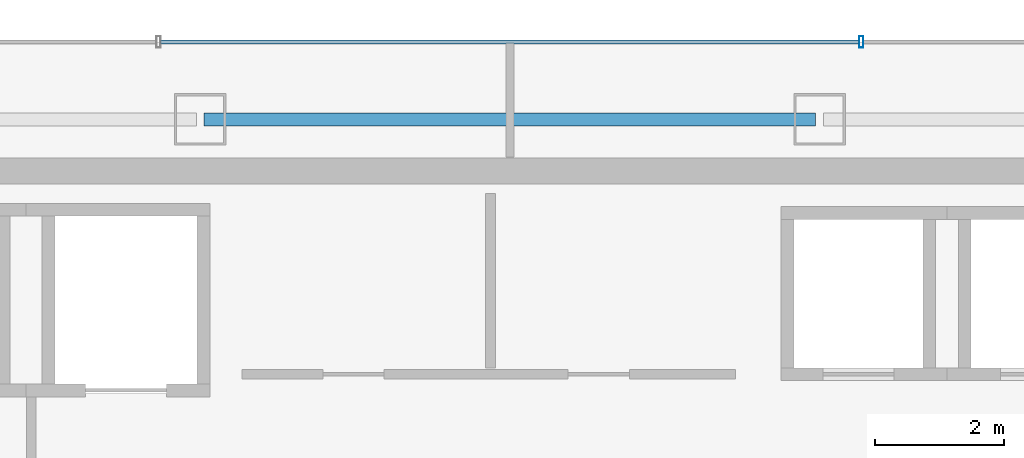
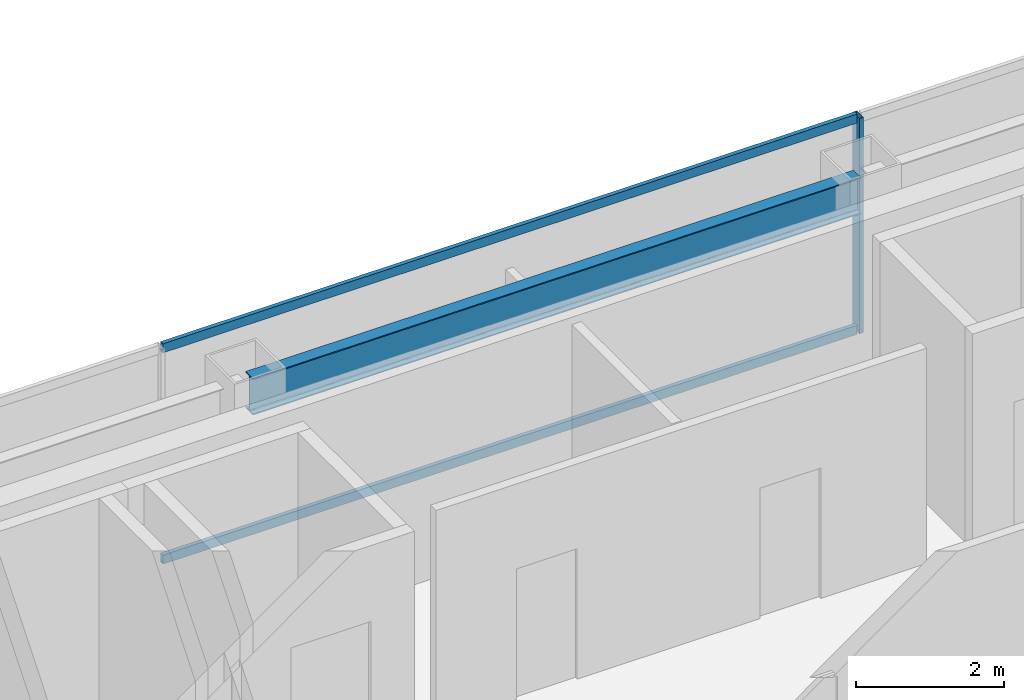
# One storey, part 21 of 32: 3 members, 1 beam, 1 element without a shape of its own.
"""IFC4 building model written with IfcOpenShell, lengths in metres."""

from ifc_helpers import new_model, si_unit, direction, frame, origin, origin_2d, place, context, subcontext, project, spatial, hollow_rectangle, i_section, extrude, material, material_profile, profile_set, type_object, element, aggregate, save


model = new_model("IFC4")

# Units and contexts
model_context = context("Model", 3, precision=1e-05, world=origin(), true_north=direction((0.0, 1.0)))
body_context = subcontext(model_context, "Body", "Model", "MODEL_VIEW")
ifc_project = project(units=[si_unit("LENGTHUNIT", "METRE"), si_unit("AREAUNIT", "SQUARE_METRE"), si_unit("VOLUMEUNIT", "CUBIC_METRE"), si_unit("PLANEANGLEUNIT", "RADIAN"), si_unit("MASSUNIT", "GRAM", prefix="KILO")], contexts=[model_context])

# Site, building, storey
site_placement = place(None, origin())
site = spatial("IfcSite", under=ifc_project, at=site_placement, CompositionType="ELEMENT")
building_placement = place(site_placement, origin())
building = spatial("IfcBuilding", under=site, at=building_placement, Name="Saevonmaru Cultural Tower", CompositionType="ELEMENT")
storey_placement = place(building_placement, frame((0.0, 0.0, 242.0)))
storey = spatial("IfcBuildingStorey", under=building, at=storey_placement, Name="L56", CompositionType="ELEMENT", Elevation=242.0)

# Beam
ifc_material_1 = material(Name="Steel SM355", Category="steel")
ifc_material_profile_1 = material_profile(ifc_material_1, i_section(OverallWidth=0.199951171875, OverallDepth=0.60009765625, WebThickness=0.010986328125, FlangeThickness=0.01708984375, FilletRadius=0.02197265625, at=origin_2d()), Name="H-600x200x11x17")
ifc_profile_set_1 = profile_set([ifc_material_profile_1], Name="Steel SM355")
beam_type = type_object("IfcBeamType", Name="BM-SP-H600", PredefinedType="SPANDREL", material=ifc_profile_set_1)
beam_placement = place(storey_placement, frame((25.260009765625, 54.800048828125, 3.25), z_axis=(1.0, 0.0, 0.0), x_axis=(0.0, 1.0, 0.0)))
element("IfcBeam", 1, at=beam_placement, inside=storey, type_object=beam_type, Name="L56 North Spine Girder 3", PredefinedType="SPANDREL", context=body_context, shape_type="SweptSolid", body=[
    extrude(i_section(OverallWidth=0.199951171875, OverallDepth=0.60009765625, WebThickness=0.010986328125, FlangeThickness=0.01708984375, FilletRadius=0.02197265625, at=origin_2d()), origin(), (0.0, 0.0, 1.0), 9.47998046875),
])

# Curtain wall, members
ifc_material_2 = material(Name="Satin Bronze Anodised Aluminium", Category="aluminium")
curtain_wall_type = type_object("IfcCurtainWallType", Name="CW-TYP-B", PredefinedType="NOTDEFINED", material=ifc_material_2)
curtain_wall_placement = place(storey_placement, origin())
curtain_wall = element("IfcCurtainWall", 2, at=curtain_wall_placement, inside=storey, type_object=curtain_wall_type, Name="L56 North Spine Unitised Curtain Wall E10B", PredefinedType="NOTDEFINED")
ifc_material_profile_2 = material_profile(ifc_material_2, hollow_rectangle(XDim=0.06494140625, YDim=0.179931640625, WallThickness=0.00390625, at=origin_2d()), Name="ALU-MULL-180x65x4")
ifc_profile_set_2 = profile_set([ifc_material_profile_2], Name="Satin Bronze Anodised Aluminium")
member_type_1 = type_object("IfcMemberType", Name="ML-CW-180x65", PredefinedType="MULLION", material=ifc_profile_set_2)
member_1_placement = place(storey_placement, frame((35.44677734375, 56.0, 0.0), z_axis=(0.0, 0.0, 1.0), x_axis=(-1.0, 0.0, 0.0)))
member_1 = element("IfcMember", 3, at=member_1_placement, type_object=member_type_1, Name="CW-TW-L56-E10B mullion 2", PredefinedType="MULLION", context=body_context, shape_type="SweptSolid", body=[
    extrude(hollow_rectangle(XDim=0.06494140625, YDim=0.179931640625, WallThickness=0.00390625, at=origin_2d()), origin(), (0.0, 0.0, 1.0), 3.550048828125),
])
ifc_material_profile_3 = material_profile(ifc_material_2, hollow_rectangle(XDim=0.06494140625, YDim=0.14990234375, WallThickness=0.00390625, at=origin_2d()), Name="ALU-TRAN-150x65x4")
ifc_profile_set_3 = profile_set([ifc_material_profile_3], Name="Satin Bronze Anodised Aluminium")
member_type_2 = type_object("IfcMemberType", Name="TR-CW-150x65", PredefinedType="USERDEFINED", material=ifc_profile_set_3)
member_2_placement = place(storey_placement, frame((35.4140625, 56.0, 0.032470703125), z_axis=(-1.0, 0.0, 0.0), x_axis=(0.0, -1.0, 0.0)))
member_2 = element("IfcMember", 4, at=member_2_placement, type_object=member_type_2, Name="CW-TW-L56-E10B transom 2.1", ObjectType="TRANSOM", PredefinedType="USERDEFINED", context=body_context, shape_type="SweptSolid", body=[
    extrude(hollow_rectangle(XDim=0.06494140625, YDim=0.14990234375, WallThickness=0.00390625, at=origin_2d()), origin(), (0.0, 0.0, 1.0), 10.828125),
])
member_3_placement = place(storey_placement, frame((35.4140625, 56.0, 3.517578125), z_axis=(-1.0, 0.0, 0.0), x_axis=(0.0, -1.0, 0.0)))
member_3 = element("IfcMember", 5, at=member_3_placement, type_object=member_type_2, Name="CW-TW-L56-E10B transom 2.2", ObjectType="TRANSOM", PredefinedType="USERDEFINED", context=body_context, shape_type="SweptSolid", body=[
    extrude(hollow_rectangle(XDim=0.06494140625, YDim=0.14990234375, WallThickness=0.00390625, at=origin_2d()), origin(), (0.0, 0.0, 1.0), 10.828125),
])
aggregate(curtain_wall, [member_1, member_2, member_3])

save(model, "model.ifc")
